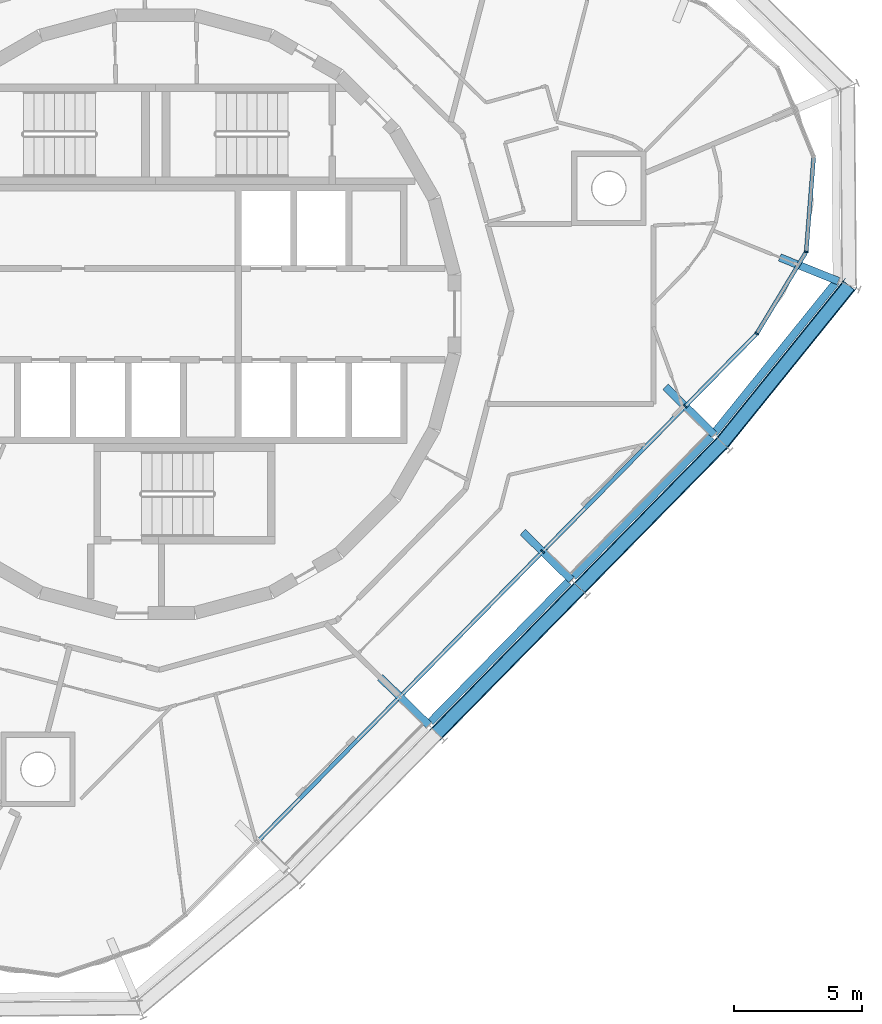
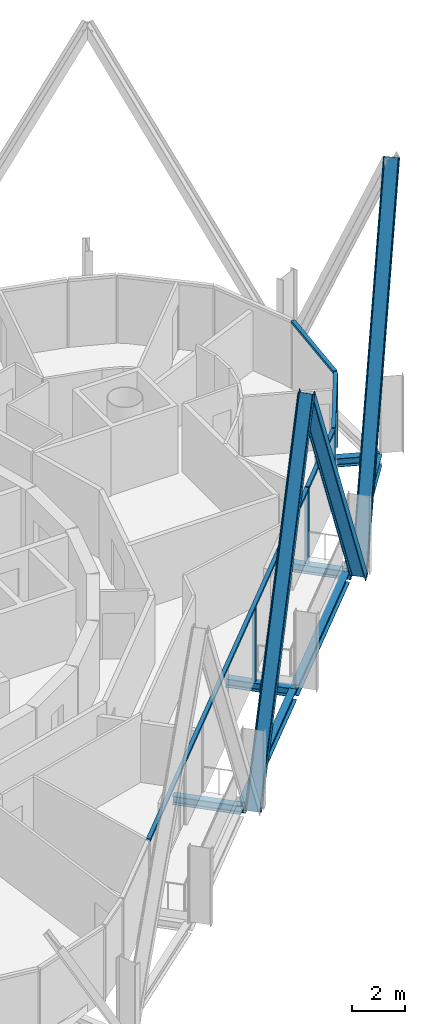
# One storey, part 4 of 15: 11 members, 7 beams, 2 elements without a shape of their own.
"""IFC4 building model written with IfcOpenShell, lengths in metres."""

from ifc_helpers import new_model, si_unit, direction, frame, origin, origin_2d, place, context, subcontext, project, spatial, rectangle, i_section, extrude, material, layer, layer_set, material_profile, profile_set, type_object, element, aggregate, save


model = new_model("IFC4")

# Units and contexts
model_context = context("Model", 3, precision=1e-05, world=origin(), true_north=direction((0.0, 1.0)))
body_context = subcontext(model_context, "Body", "Model", "MODEL_VIEW")
ifc_project = project(units=[si_unit("LENGTHUNIT", "METRE"), si_unit("AREAUNIT", "SQUARE_METRE"), si_unit("VOLUMEUNIT", "CUBIC_METRE"), si_unit("PLANEANGLEUNIT", "RADIAN"), si_unit("MASSUNIT", "GRAM", prefix="KILO")], contexts=[model_context])

# Site, building, storey
site_placement = place(None, origin())
site = spatial("IfcSite", under=ifc_project, at=site_placement, CompositionType="ELEMENT")
building_placement = place(site_placement, origin())
building = spatial("IfcBuilding", under=site, at=building_placement, Name="Spindle Arch Residences", CompositionType="ELEMENT")
storey_placement = place(building_placement, frame((0.0, 0.0, 312.199951171875)))
storey = spatial("IfcBuildingStorey", under=building, at=storey_placement, Name="L80", CompositionType="ELEMENT", Elevation=312.199951171875)

# Curtain wall, members
ifc_material_1 = material(Name="Aluminium bronze unitised frame with tinted glass", Category="aluminium")
ifc_layer_1 = layer(ifc_material_1, 0.159912109375)
ifc_layer_set_1 = layer_set([ifc_layer_1], Name="CW-D corner wall on the fillet arcs")
curtain_wall_type_1 = type_object("IfcCurtainWallType", Name="CW-D corner wall on the fillet arcs", PredefinedType="NOTDEFINED", material=ifc_layer_set_1)
curtain_wall_1_placement = place(storey_placement, origin())
curtain_wall_1 = element("IfcCurtainWall", 1, at=curtain_wall_1_placement, inside=storey, type_object=curtain_wall_type_1, Name="CW-D L80 run 1", PredefinedType="NOTDEFINED")
ifc_material_2 = material(Name="Aluminium bronze anodised mullion", Category="aluminium")
ifc_material_profile_1 = material_profile(ifc_material_2, rectangle(XDim=0.159912109375, YDim=0.06005859375, at=origin_2d()), Name="MU 60x160")
ifc_profile_set_1 = profile_set([ifc_material_profile_1], Name="Aluminium bronze anodised mullion")
member_type_1 = type_object("IfcMemberType", Name="Bronze mullion 60x160", PredefinedType="MULLION", material=ifc_profile_set_1)
member_1_placement = place(storey_placement, frame((20.642333984375, -3.597412109375, -0.3798828125), z_axis=(0.0, 0.0, 1.0), x_axis=(-0.713250449154, 0.7009092643, 0.0)))
member_1 = element("IfcMember", 2, at=member_1_placement, type_object=member_type_1, Name="CW-D mullion 00", PredefinedType="MULLION", context=body_context, shape_type="SweptSolid", body=[
    extrude(rectangle(XDim=0.159912109375, YDim=0.06005859375, at=origin_2d()), origin(), (0.0, 0.0, 1.0), 3.3798828125),
])
member_2_placement = place(storey_placement, frame((23.42578125, -0.76513671875, -0.3798828125), z_axis=(0.0, 0.0, 1.0), x_axis=(-0.855665492936, 0.517529288252, 0.0)))
member_2 = element("IfcMember", 3, at=member_2_placement, type_object=member_type_1, Name="CW-D mullion 01", PredefinedType="MULLION", context=body_context, shape_type="SweptSolid", body=[
    extrude(rectangle(XDim=0.159912109375, YDim=0.06005859375, at=origin_2d()), origin(), (0.0, 0.0, 1.0), 3.3798828125),
])
member_3_placement = place(storey_placement, frame((25.3544921875, 2.423828125, -0.3798828125), z_axis=(0.0, 0.0, 1.0), x_axis=(-0.996917334032, 0.078459091935, 0.0)))
member_3 = element("IfcMember", 4, at=member_3_placement, type_object=member_type_1, Name="CW-D mullion 02", PredefinedType="MULLION", context=body_context, shape_type="SweptSolid", body=[
    extrude(rectangle(XDim=0.159912109375, YDim=0.06005859375, at=origin_2d()), origin(), (0.0, 0.0, 1.0), 3.3798828125),
])

# Curtain wall, member
ifc_material_3 = material(Name="Aluminium bronze unitised frame with tinted glass", Category="aluminium")
ifc_layer_2 = layer(ifc_material_3, 0.159912109375)
ifc_layer_set_2 = layer_set([ifc_layer_2], Name="CW-C typical residential unitised wall")
curtain_wall_type_2 = type_object("IfcCurtainWallType", Name="CW-C typical residential unitised wall", PredefinedType="NOTDEFINED", material=ifc_layer_set_2)
curtain_wall_2_placement = place(storey_placement, origin())
curtain_wall_2 = element("IfcCurtainWall", 5, at=curtain_wall_2_placement, inside=storey, type_object=curtain_wall_type_2, Name="CW-C L80 run 6", PredefinedType="NOTDEFINED")
member_4_placement = place(storey_placement, frame((15.08056640625, -9.257080078125, -0.3798828125), z_axis=(0.0, 0.0, 1.0), x_axis=(-0.713250449154, 0.7009092643, 0.0)))
member_4 = element("IfcMember", 6, at=member_4_placement, type_object=member_type_1, Name="CW-C mullion 00", PredefinedType="MULLION", context=body_context, shape_type="SweptSolid", body=[
    extrude(rectangle(XDim=0.159912109375, YDim=0.06005859375, at=origin_2d()), origin(), (0.0, 0.0, 1.0), 3.3798828125),
])

# Member
ifc_material_4 = material(Name="Aluminium bronze anodised transom", Category="aluminium")
ifc_material_profile_2 = material_profile(ifc_material_4, rectangle(XDim=0.159912109375, YDim=0.1201171875, at=origin_2d()), Name="TR 120x160")
ifc_profile_set_2 = profile_set([ifc_material_profile_2], Name="Aluminium bronze anodised transom")
member_type_2 = type_object("IfcMemberType", Name="Bronze transom 120x160", PredefinedType="USERDEFINED", material=ifc_profile_set_2)
member_5_placement = place(storey_placement, frame((20.663330078125, -3.575927734375, 3.06005859375), z_axis=(0.70089977121, 0.713259777863, 0.0), x_axis=(-0.713259777863, 0.70089977121, 0.0)))
member_5 = element("IfcMember", 7, at=member_5_placement, type_object=member_type_2, Name="CW-D transom 00", ObjectType="TRANSOM", PredefinedType="USERDEFINED", context=body_context, shape_type="SweptSolid", body=[
    extrude(rectangle(XDim=0.159912109375, YDim=0.1201171875, at=origin_2d()), origin(), (0.0, 0.0, 1.0), 3.910888671875),
])

member_6_placement = place(storey_placement, frame((23.441162109375, -0.739501953125, 3.06005859375), z_axis=(0.517517977751, 0.855672333726, 0.0), x_axis=(-0.855672333726, 0.517517977751, 0.0)))
member_6 = element("IfcMember", 8, at=member_6_placement, type_object=member_type_2, Name="CW-D transom 01", ObjectType="TRANSOM", PredefinedType="USERDEFINED", context=body_context, shape_type="SweptSolid", body=[
    extrude(rectangle(XDim=0.159912109375, YDim=0.1201171875, at=origin_2d()), origin(), (0.0, 0.0, 1.0), 3.6669921875),
])

member_7_placement = place(storey_placement, frame((25.356689453125, 2.45361328125, 3.06005859375), z_axis=(0.078498754798, 0.996914211703, 0.0), x_axis=(-0.996914211703, 0.078498754798, 0.0)))
member_7 = element("IfcMember", 9, at=member_7_placement, type_object=member_type_2, Name="CW-D transom 02", ObjectType="TRANSOM", PredefinedType="USERDEFINED", context=body_context, shape_type="SweptSolid", body=[
    extrude(rectangle(XDim=0.159912109375, YDim=0.1201171875, at=origin_2d()), origin(), (0.0, 0.0, 1.0), 3.666748046875),
])

aggregate(curtain_wall_1, [member_1, member_5, member_2, member_6, member_3, member_7])

member_8_placement = place(storey_placement, frame((3.97802734375, -20.55517578125, 3.06005859375), z_axis=(0.700905736119, 0.71325391627, 0.0), x_axis=(-0.71325391627, 0.700905736119, 0.0)))
member_8 = element("IfcMember", 10, at=member_8_placement, type_object=member_type_2, Name="CW-C transom 00", ObjectType="TRANSOM", PredefinedType="USERDEFINED", context=body_context, shape_type="SweptSolid", body=[
    extrude(rectangle(XDim=0.159912109375, YDim=0.1201171875, at=origin_2d()), origin(), (0.0, 0.0, 1.0), 23.745361328125),
])

aggregate(curtain_wall_2, [member_8, member_4])

# Members
ifc_material_5 = material(Name="Steel S460ML, intumescent coating R 240", Category="steel")
ifc_material_profile_3 = material_profile(ifc_material_5, i_section(OverallWidth=0.300048828125, OverallDepth=0.60009765625, WebThickness=0.015380859375, FlangeThickness=0.030029296875, FilletRadius=0.027099609375, at=origin_2d()), Name="HEB 600")
ifc_profile_set_3 = profile_set([ifc_material_profile_3], Name="Steel S460ML, intumescent coating R 240")
member_type_3 = type_object("IfcMemberType", Name="Diagrid diagonal HEB 600", PredefinedType="BRACE", material=ifc_profile_set_3)
member_9_placement = place(storey_placement, frame((22.083251953125, -5.01318359375, -0.6298828125), z_axis=(-0.349901054808, -0.356060148921, 0.866481634078), x_axis=(0.607326524278, 0.618016921373, 0.499208952048)))
element("IfcMember", 11, at=member_9_placement, inside=storey, type_object=member_type_3, Name="Diagrid diagonal 8.2.1", PredefinedType="BRACE", context=body_context, shape_type="SweptSolid", body=[
    extrude(i_section(OverallWidth=0.300048828125, OverallDepth=0.60009765625, WebThickness=0.015380859375, FlangeThickness=0.030029296875, FilletRadius=0.027099609375, at=origin_2d()), origin(), (0.0, 0.0, 1.0), 15.895263671875),
])
member_10_placement = place(storey_placement, frame((22.083251953125, -5.01318359375, -0.6298828125), z_axis=(0.311599676188, 0.386163830439, 0.868206852), x_axis=(-0.545206858666, -0.675671975979, 0.496202440683)))
element("IfcMember", 12, at=member_10_placement, inside=storey, type_object=member_type_3, Name="Diagrid diagonal 8.2.2", PredefinedType="BRACE", context=body_context, shape_type="SweptSolid", body=[
    extrude(i_section(OverallWidth=0.300048828125, OverallDepth=0.60009765625, WebThickness=0.015380859375, FlangeThickness=0.030029296875, FilletRadius=0.027099609375, at=origin_2d()), origin(), (0.0, 0.0, 1.0), 15.86376953125),
])
member_11_placement = place(storey_placement, frame((10.959716796875, -16.33251953125, -0.6298828125), z_axis=(0.349901054808, 0.356060148921, 0.866481634078), x_axis=(-0.607326524278, -0.618016921373, 0.499208952048)))
element("IfcMember", 13, at=member_11_placement, inside=storey, type_object=member_type_3, Name="Diagrid diagonal 8.2.20", PredefinedType="BRACE", context=body_context, shape_type="SweptSolid", body=[
    extrude(i_section(OverallWidth=0.300048828125, OverallDepth=0.60009765625, WebThickness=0.015380859375, FlangeThickness=0.030029296875, FilletRadius=0.027099609375, at=origin_2d()), origin(), (0.0, 0.0, 1.0), 15.895263671875),
])

# Beams
ifc_material_6 = material(Name="Steel S460ML, intumescent coating R 120", Category="steel")
ifc_material_profile_4 = material_profile(ifc_material_6, i_section(OverallWidth=0.300048828125, OverallDepth=0.5, WebThickness=0.014404296875, FlangeThickness=0.028076171875, FilletRadius=0.027099609375, at=origin_2d()), Name="HEB 500")
ifc_profile_set_4 = profile_set([ifc_material_profile_4], Name="Steel S460ML, intumescent coating R 120")
beam_type_1 = type_object("IfcBeamType", Name="Exoskeleton edge beam HEB 500", PredefinedType="BEAM", material=ifc_profile_set_4)
beam_1_placement = place(storey_placement, frame((16.270263671875, -10.24365234375, -0.6298828125), z_axis=(0.700908648812, 0.713251053992, 0.0), x_axis=(-0.713251053992, 0.700908648812, 0.0)))
element("IfcBeam", 14, at=beam_1_placement, inside=storey, type_object=beam_type_1, Name="Exoskeleton edge beam 1", PredefinedType="BEAM", context=body_context, shape_type="SweptSolid", body=[
    extrude(i_section(OverallWidth=0.300048828125, OverallDepth=0.5, WebThickness=0.014404296875, FlangeThickness=0.028076171875, FilletRadius=0.027099609375, at=origin_2d()), origin(), (0.0, 0.0, 1.0), 7.6748046875),
])
beam_2_placement = place(storey_placement, frame((21.763427734375, -4.648681640625, -0.6298828125), z_axis=(0.627986894279, 0.778223914188, 0.0), x_axis=(-0.778223914188, 0.627986894279, 0.0)))
element("IfcBeam", 15, at=beam_2_placement, inside=storey, type_object=beam_type_1, Name="Exoskeleton edge beam 2", PredefinedType="BEAM", context=body_context, shape_type="SweptSolid", body=[
    extrude(i_section(OverallWidth=0.300048828125, OverallDepth=0.5, WebThickness=0.014404296875, FlangeThickness=0.028076171875, FilletRadius=0.027099609375, at=origin_2d()), origin(), (0.0, 0.0, 1.0), 7.611572265625),
])
beam_3_placement = place(storey_placement, frame((10.70849609375, -15.9033203125, -0.6298828125), z_axis=(0.700908648812, 0.713251053992, 0.0), x_axis=(-0.713251053992, 0.700908648812, 0.0)))
element("IfcBeam", 16, at=beam_3_placement, inside=storey, type_object=beam_type_1, Name="Exoskeleton edge beam 20", PredefinedType="BEAM", context=body_context, shape_type="SweptSolid", body=[
    extrude(i_section(OverallWidth=0.300048828125, OverallDepth=0.5, WebThickness=0.014404296875, FlangeThickness=0.028076171875, FilletRadius=0.027099609375, at=origin_2d()), origin(), (0.0, 0.0, 1.0), 7.6748046875),
])
ifc_material_7 = material(Name="Steel S460ML, intumescent coating R 120", Category="steel")
ifc_material_profile_5 = material_profile(ifc_material_7, i_section(OverallWidth=0.300048828125, OverallDepth=0.389892578125, WebThickness=0.010986328125, FlangeThickness=0.01904296875, FilletRadius=0.027099609375, at=origin_2d()), Name="HEA 400")
ifc_profile_set_5 = profile_set([ifc_material_profile_5], Name="Steel S460ML, intumescent coating R 120")
beam_type_2 = type_object("IfcBeamType", Name="Floor outrigger HEA 400", PredefinedType="BEAM", material=ifc_profile_set_5)
for number, where, z_axis, x_axis, name in (
    (17, (16.200439453125, -10.357421875, -0.574951171875), (-0.713252393258, 0.70090728596, 0.0), (-0.70090728596, -0.713252393258, 0.0), "Floor outrigger 1"),
    (18, (21.76220703125, -4.69775390625, -0.574951171875), (-0.713252393258, 0.70090728596, 0.0), (-0.70090728596, -0.713252393258, 0.0), "Floor outrigger 2"),
):
    element("IfcBeam", number, at=place(storey_placement, frame(where, z_axis=z_axis, x_axis=x_axis)), inside=storey, type_object=beam_type_2, Name=name, PredefinedType="BEAM", context=body_context, shape_type="SweptSolid", body=[
        extrude(i_section(OverallWidth=0.300048828125, OverallDepth=0.389892578125, WebThickness=0.010986328125, FlangeThickness=0.01904296875, FilletRadius=0.027099609375, at=origin_2d()), origin(), (0.0, 0.0, 1.0), 2.650146484375),
    ])
beam_4_placement = place(storey_placement, frame((26.609130859375, 1.281494140625, -0.574951171875), z_axis=(-0.927112260651, 0.374783745846, 0.0), x_axis=(-0.374783745846, -0.927112260651, 0.0)))
element("IfcBeam", 19, at=beam_4_placement, inside=storey, type_object=beam_type_2, Name="Floor outrigger 3", PredefinedType="BEAM", context=body_context, shape_type="SweptSolid", body=[
    extrude(i_section(OverallWidth=0.300048828125, OverallDepth=0.389892578125, WebThickness=0.010986328125, FlangeThickness=0.01904296875, FilletRadius=0.027099609375, at=origin_2d()), origin(), (0.0, 0.0, 1.0), 2.466796875),
])
beam_5_placement = place(storey_placement, frame((10.638671875, -16.01708984375, -0.574951171875), z_axis=(-0.713298451505, 0.700860413407, 0.0), x_axis=(-0.700860413407, -0.713298451505, 0.0)))
element("IfcBeam", 20, at=beam_5_placement, inside=storey, type_object=beam_type_2, Name="Floor outrigger 20", PredefinedType="BEAM", context=body_context, shape_type="SweptSolid", body=[
    extrude(i_section(OverallWidth=0.300048828125, OverallDepth=0.389892578125, WebThickness=0.010986328125, FlangeThickness=0.01904296875, FilletRadius=0.027099609375, at=origin_2d()), origin(), (0.0, 0.0, 1.0), 2.64990234375),
])

save(model, "model.ifc")
